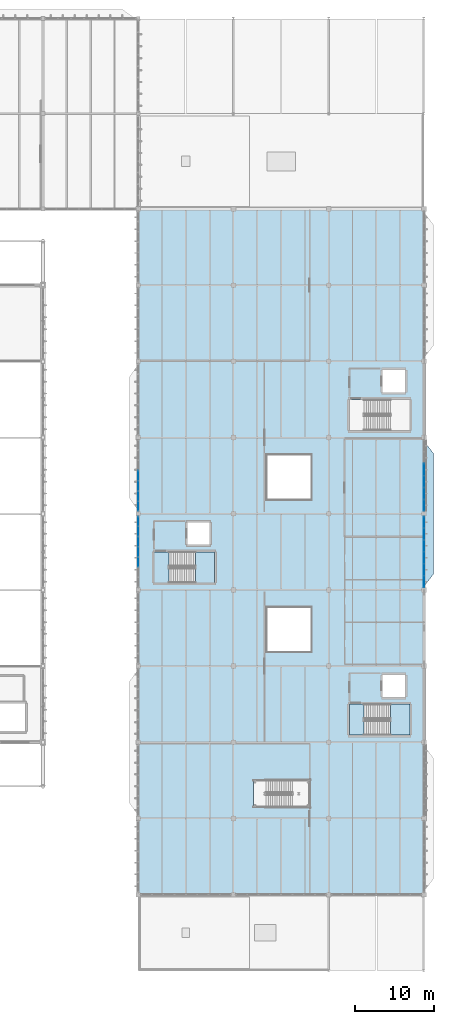
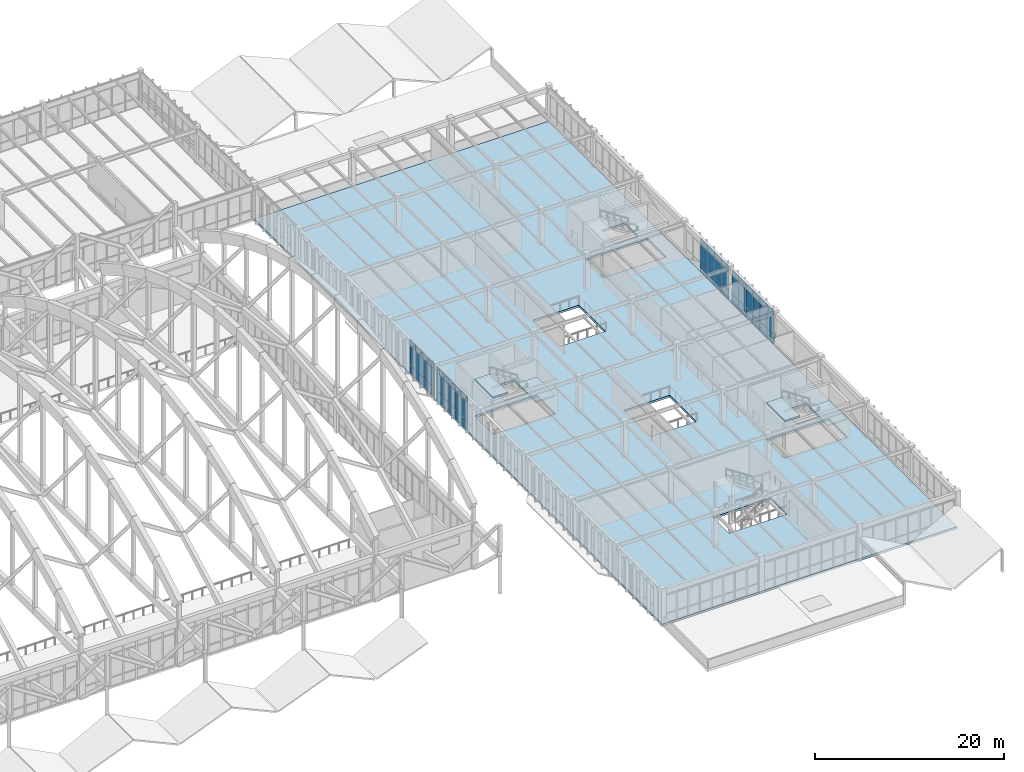
# One storey, part 203 of 236: 57 plates, 6 slabs, 6 elements without a shape of their own.
"""IFC4 building model written with IfcOpenShell, lengths in metres."""

from ifc_helpers import new_model, si_unit, direction, frame, origin, origin_2d, place, context, subcontext, project, spatial, polyline, rectangle, outline, extrude, material, layer, layer_set, type_object, element, aggregate, save


model = new_model("IFC4")

# Units and contexts
model_context = context("Model", 3, precision=1e-05, world=origin(), true_north=direction((0.0, 1.0)))
body_context = subcontext(model_context, "Body", "Model", "MODEL_VIEW")
ifc_project = project(units=[si_unit("LENGTHUNIT", "METRE"), si_unit("AREAUNIT", "SQUARE_METRE"), si_unit("VOLUMEUNIT", "CUBIC_METRE"), si_unit("PLANEANGLEUNIT", "RADIAN"), si_unit("MASSUNIT", "GRAM", prefix="KILO")], contexts=[model_context])

# Site, building, storey
site_placement = place(None, origin())
site = spatial("IfcSite", under=ifc_project, at=site_placement, CompositionType="ELEMENT")
building_placement = place(site_placement, origin())
building = spatial("IfcBuilding", under=site, at=building_placement, Name="Pandanus Reach Market Hall", CompositionType="ELEMENT")
storey_placement = place(building_placement, frame((0.0, 0.0, 5.39990234375)))
storey = spatial("IfcBuildingStorey", under=building, at=storey_placement, Name="L01", CompositionType="ELEMENT", Elevation=5.39990234375)

# Curtain wall, plates
ifc_material_1 = material(Name="Bronze anodised aluminium and low-E glass", Category="aluminium")
ifc_layer_1 = layer(ifc_material_1, 0.159912109375, Name="CW-28")
ifc_layer_set_1 = layer_set([ifc_layer_1], Name="Bronze anodised aluminium and low-E glass")
curtain_wall_type_1 = type_object("IfcCurtainWallType", Name="CW-28", PredefinedType="NOTDEFINED", material=ifc_layer_set_1)
curtain_wall_1_placement = place(storey_placement, origin())
curtain_wall_1 = element("IfcCurtainWall", 1, at=curtain_wall_1_placement, inside=storey, type_object=curtain_wall_type_1, Name="Glazed curtain wall CW-28 CW-0087", PredefinedType="NOTDEFINED")
ifc_material_2 = material(Name="Solar-control double glazing", Category="glass")
ifc_layer_2 = layer(ifc_material_2, 0.028076171875, Name="CW-P1")
ifc_layer_set_2 = layer_set([ifc_layer_2], Name="Solar-control double glazing")
plate_type = type_object("IfcPlateType", Name="CW-P1", PredefinedType="CURTAIN_PANEL", material=ifc_layer_set_2)
plate_1_placement = place(storey_placement, frame((180.0, 49.066162109375, 0.065185546875), z_axis=(0.0, 0.0, 1.0), x_axis=(0.0, 1.0, 0.0)))
plate_1 = element("IfcPlate", 2, at=plate_1_placement, type_object=plate_type, Name="CW-28 panel 1.1", PredefinedType="CURTAIN_PANEL", context=body_context, shape_type="SweptSolid", body=[
    extrude(rectangle(XDim=1.402587890625, YDim=0.028076171875, at=origin_2d()), origin(), (0.0, 0.0, 1.0), 1.1025390625),
])
plate_2_placement = place(storey_placement, frame((180.0, 49.066162109375, 1.232666015625), z_axis=(0.0, 0.0, 1.0), x_axis=(0.0, 1.0, 0.0)))
plate_2 = element("IfcPlate", 3, at=plate_2_placement, type_object=plate_type, Name="CW-28 panel 1.2", PredefinedType="CURTAIN_PANEL", context=body_context, shape_type="SweptSolid", body=[
    extrude(rectangle(XDim=1.402587890625, YDim=0.028076171875, at=origin_2d()), origin(), (0.0, 0.0, 1.0), 2.3349609375),
])
plate_3_placement = place(storey_placement, frame((180.0, 49.066162109375, 3.6328125), z_axis=(0.0, 0.0, 1.0), x_axis=(0.0, 1.0, 0.0)))
plate_3 = element("IfcPlate", 4, at=plate_3_placement, type_object=plate_type, Name="CW-28 panel 1.3", PredefinedType="CURTAIN_PANEL", context=body_context, shape_type="SweptSolid", body=[
    extrude(rectangle(XDim=1.402587890625, YDim=0.028076171875, at=origin_2d()), origin(), (0.0, 0.0, 1.0), 0.802490234375),
])
plate_4_placement = place(storey_placement, frame((180.0, 50.550048828125, 0.065185546875), z_axis=(0.0, 0.0, 1.0), x_axis=(0.0, 1.0, 0.0)))
plate_4 = element("IfcPlate", 5, at=plate_4_placement, type_object=plate_type, Name="CW-28 panel 2.1", PredefinedType="CURTAIN_PANEL", context=body_context, shape_type="SweptSolid", body=[
    extrude(rectangle(XDim=1.43505859375, YDim=0.028076171875, at=origin_2d()), origin(), (0.0, 0.0, 1.0), 1.1025390625),
])
plate_5_placement = place(storey_placement, frame((180.0, 50.550048828125, 1.232666015625), z_axis=(0.0, 0.0, 1.0), x_axis=(0.0, 1.0, 0.0)))
plate_5 = element("IfcPlate", 6, at=plate_5_placement, type_object=plate_type, Name="CW-28 panel 2.2", PredefinedType="CURTAIN_PANEL", context=body_context, shape_type="SweptSolid", body=[
    extrude(rectangle(XDim=1.43505859375, YDim=0.028076171875, at=origin_2d()), origin(), (0.0, 0.0, 1.0), 2.3349609375),
])
plate_6_placement = place(storey_placement, frame((180.0, 50.550048828125, 3.6328125), z_axis=(0.0, 0.0, 1.0), x_axis=(0.0, 1.0, 0.0)))
plate_6 = element("IfcPlate", 7, at=plate_6_placement, type_object=plate_type, Name="CW-28 panel 2.3", PredefinedType="CURTAIN_PANEL", context=body_context, shape_type="SweptSolid", body=[
    extrude(rectangle(XDim=1.43505859375, YDim=0.028076171875, at=origin_2d()), origin(), (0.0, 0.0, 1.0), 0.802490234375),
])
plate_7_placement = place(storey_placement, frame((180.0, 52.050048828125, 0.065185546875), z_axis=(0.0, 0.0, 1.0), x_axis=(0.0, 1.0, 0.0)))
plate_7 = element("IfcPlate", 8, at=plate_7_placement, type_object=plate_type, Name="CW-28 panel 3.1", PredefinedType="CURTAIN_PANEL", context=body_context, shape_type="SweptSolid", body=[
    extrude(rectangle(XDim=1.43505859375, YDim=0.028076171875, at=origin_2d()), origin(), (0.0, 0.0, 1.0), 1.1025390625),
])
plate_8_placement = place(storey_placement, frame((180.0, 52.050048828125, 1.232666015625), z_axis=(0.0, 0.0, 1.0), x_axis=(0.0, 1.0, 0.0)))
plate_8 = element("IfcPlate", 9, at=plate_8_placement, type_object=plate_type, Name="CW-28 panel 3.2", PredefinedType="CURTAIN_PANEL", context=body_context, shape_type="SweptSolid", body=[
    extrude(rectangle(XDim=1.43505859375, YDim=0.028076171875, at=origin_2d()), origin(), (0.0, 0.0, 1.0), 2.3349609375),
])
plate_9_placement = place(storey_placement, frame((180.0, 52.050048828125, 3.6328125), z_axis=(0.0, 0.0, 1.0), x_axis=(0.0, 1.0, 0.0)))
plate_9 = element("IfcPlate", 10, at=plate_9_placement, type_object=plate_type, Name="CW-28 panel 3.3", PredefinedType="CURTAIN_PANEL", context=body_context, shape_type="SweptSolid", body=[
    extrude(rectangle(XDim=1.43505859375, YDim=0.028076171875, at=origin_2d()), origin(), (0.0, 0.0, 1.0), 0.802490234375),
])
plate_10_placement = place(storey_placement, frame((180.0, 53.550048828125, 0.065185546875), z_axis=(0.0, 0.0, 1.0), x_axis=(0.0, 1.0, 0.0)))
plate_10 = element("IfcPlate", 11, at=plate_10_placement, type_object=plate_type, Name="CW-28 panel 4.1", PredefinedType="CURTAIN_PANEL", context=body_context, shape_type="SweptSolid", body=[
    extrude(rectangle(XDim=1.43505859375, YDim=0.028076171875, at=origin_2d()), origin(), (0.0, 0.0, 1.0), 1.1025390625),
])
plate_11_placement = place(storey_placement, frame((180.0, 53.550048828125, 1.232666015625), z_axis=(0.0, 0.0, 1.0), x_axis=(0.0, 1.0, 0.0)))
plate_11 = element("IfcPlate", 12, at=plate_11_placement, type_object=plate_type, Name="CW-28 panel 4.2", PredefinedType="CURTAIN_PANEL", context=body_context, shape_type="SweptSolid", body=[
    extrude(rectangle(XDim=1.43505859375, YDim=0.028076171875, at=origin_2d()), origin(), (0.0, 0.0, 1.0), 2.3349609375),
])
plate_12_placement = place(storey_placement, frame((180.0, 53.550048828125, 3.6328125), z_axis=(0.0, 0.0, 1.0), x_axis=(0.0, 1.0, 0.0)))
plate_12 = element("IfcPlate", 13, at=plate_12_placement, type_object=plate_type, Name="CW-28 panel 4.3", PredefinedType="CURTAIN_PANEL", context=body_context, shape_type="SweptSolid", body=[
    extrude(rectangle(XDim=1.43505859375, YDim=0.028076171875, at=origin_2d()), origin(), (0.0, 0.0, 1.0), 0.802490234375),
])
plate_13_placement = place(storey_placement, frame((180.0, 55.050048828125, 0.065185546875), z_axis=(0.0, 0.0, 1.0), x_axis=(0.0, 1.0, 0.0)))
plate_13 = element("IfcPlate", 14, at=plate_13_placement, type_object=plate_type, Name="CW-28 panel 5.1", PredefinedType="CURTAIN_PANEL", context=body_context, shape_type="SweptSolid", body=[
    extrude(rectangle(XDim=1.43505859375, YDim=0.028076171875, at=origin_2d()), origin(), (0.0, 0.0, 1.0), 1.1025390625),
])
plate_14_placement = place(storey_placement, frame((180.0, 55.050048828125, 1.232666015625), z_axis=(0.0, 0.0, 1.0), x_axis=(0.0, 1.0, 0.0)))
plate_14 = element("IfcPlate", 15, at=plate_14_placement, type_object=plate_type, Name="CW-28 panel 5.2", PredefinedType="CURTAIN_PANEL", context=body_context, shape_type="SweptSolid", body=[
    extrude(rectangle(XDim=1.43505859375, YDim=0.028076171875, at=origin_2d()), origin(), (0.0, 0.0, 1.0), 2.3349609375),
])
plate_15_placement = place(storey_placement, frame((180.0, 55.050048828125, 3.6328125), z_axis=(0.0, 0.0, 1.0), x_axis=(0.0, 1.0, 0.0)))
plate_15 = element("IfcPlate", 16, at=plate_15_placement, type_object=plate_type, Name="CW-28 panel 5.3", PredefinedType="CURTAIN_PANEL", context=body_context, shape_type="SweptSolid", body=[
    extrude(rectangle(XDim=1.43505859375, YDim=0.028076171875, at=origin_2d()), origin(), (0.0, 0.0, 1.0), 0.802490234375),
])
plate_16_placement = place(storey_placement, frame((180.0, 56.53369140625, 0.065185546875), z_axis=(0.0, 0.0, 1.0), x_axis=(0.0, 1.0, 0.0)))
plate_16 = element("IfcPlate", 17, at=plate_16_placement, type_object=plate_type, Name="CW-28 panel 6.1", PredefinedType="CURTAIN_PANEL", context=body_context, shape_type="SweptSolid", body=[
    extrude(rectangle(XDim=1.402587890625, YDim=0.028076171875, at=origin_2d()), origin(), (0.0, 0.0, 1.0), 1.1025390625),
])
plate_17_placement = place(storey_placement, frame((180.0, 56.53369140625, 1.232666015625), z_axis=(0.0, 0.0, 1.0), x_axis=(0.0, 1.0, 0.0)))
plate_17 = element("IfcPlate", 18, at=plate_17_placement, type_object=plate_type, Name="CW-28 panel 6.2", PredefinedType="CURTAIN_PANEL", context=body_context, shape_type="SweptSolid", body=[
    extrude(rectangle(XDim=1.402587890625, YDim=0.028076171875, at=origin_2d()), origin(), (0.0, 0.0, 1.0), 2.3349609375),
])
plate_18_placement = place(storey_placement, frame((180.0, 56.53369140625, 3.6328125), z_axis=(0.0, 0.0, 1.0), x_axis=(0.0, 1.0, 0.0)))
plate_18 = element("IfcPlate", 19, at=plate_18_placement, type_object=plate_type, Name="CW-28 panel 6.3", PredefinedType="CURTAIN_PANEL", context=body_context, shape_type="SweptSolid", body=[
    extrude(rectangle(XDim=1.402587890625, YDim=0.028076171875, at=origin_2d()), origin(), (0.0, 0.0, 1.0), 0.802490234375),
])
aggregate(curtain_wall_1, [plate_1, plate_2, plate_3, plate_4, plate_5, plate_6, plate_7, plate_8, plate_9, plate_10, plate_11, plate_12, plate_13, plate_14, plate_15, plate_16, plate_17, plate_18])

curtain_wall_2_placement = place(storey_placement, origin())
curtain_wall_2 = element("IfcCurtainWall", 20, at=curtain_wall_2_placement, inside=storey, type_object=curtain_wall_type_1, Name="Glazed curtain wall CW-28 CW-0088", PredefinedType="NOTDEFINED")
plate_19_placement = place(storey_placement, frame((180.0, 58.666259765625, 0.065185546875), z_axis=(0.0, 0.0, 1.0), x_axis=(0.0, 1.0, 0.0)))
plate_19 = element("IfcPlate", 21, at=plate_19_placement, type_object=plate_type, Name="CW-28 panel 1.1", PredefinedType="CURTAIN_PANEL", context=body_context, shape_type="SweptSolid", body=[
    extrude(rectangle(XDim=1.402587890625, YDim=0.028076171875, at=origin_2d()), origin(), (0.0, 0.0, 1.0), 1.1025390625),
])
plate_20_placement = place(storey_placement, frame((180.0, 58.666259765625, 1.232666015625), z_axis=(0.0, 0.0, 1.0), x_axis=(0.0, 1.0, 0.0)))
plate_20 = element("IfcPlate", 22, at=plate_20_placement, type_object=plate_type, Name="CW-28 panel 1.2", PredefinedType="CURTAIN_PANEL", context=body_context, shape_type="SweptSolid", body=[
    extrude(rectangle(XDim=1.402587890625, YDim=0.028076171875, at=origin_2d()), origin(), (0.0, 0.0, 1.0), 2.3349609375),
])
plate_21_placement = place(storey_placement, frame((180.0, 58.666259765625, 3.6328125), z_axis=(0.0, 0.0, 1.0), x_axis=(0.0, 1.0, 0.0)))
plate_21 = element("IfcPlate", 23, at=plate_21_placement, type_object=plate_type, Name="CW-28 panel 1.3", PredefinedType="CURTAIN_PANEL", context=body_context, shape_type="SweptSolid", body=[
    extrude(rectangle(XDim=1.402587890625, YDim=0.028076171875, at=origin_2d()), origin(), (0.0, 0.0, 1.0), 0.802490234375),
])
plate_22_placement = place(storey_placement, frame((180.0, 60.14990234375, 0.065185546875), z_axis=(0.0, 0.0, 1.0), x_axis=(0.0, 1.0, 0.0)))
plate_22 = element("IfcPlate", 24, at=plate_22_placement, type_object=plate_type, Name="CW-28 panel 2.1", PredefinedType="CURTAIN_PANEL", context=body_context, shape_type="SweptSolid", body=[
    extrude(rectangle(XDim=1.43505859375, YDim=0.028076171875, at=origin_2d()), origin(), (0.0, 0.0, 1.0), 1.1025390625),
])
plate_23_placement = place(storey_placement, frame((180.0, 60.14990234375, 1.232666015625), z_axis=(0.0, 0.0, 1.0), x_axis=(0.0, 1.0, 0.0)))
plate_23 = element("IfcPlate", 25, at=plate_23_placement, type_object=plate_type, Name="CW-28 panel 2.2", PredefinedType="CURTAIN_PANEL", context=body_context, shape_type="SweptSolid", body=[
    extrude(rectangle(XDim=1.43505859375, YDim=0.028076171875, at=origin_2d()), origin(), (0.0, 0.0, 1.0), 2.3349609375),
])
plate_24_placement = place(storey_placement, frame((180.0, 60.14990234375, 3.6328125), z_axis=(0.0, 0.0, 1.0), x_axis=(0.0, 1.0, 0.0)))
plate_24 = element("IfcPlate", 26, at=plate_24_placement, type_object=plate_type, Name="CW-28 panel 2.3", PredefinedType="CURTAIN_PANEL", context=body_context, shape_type="SweptSolid", body=[
    extrude(rectangle(XDim=1.43505859375, YDim=0.028076171875, at=origin_2d()), origin(), (0.0, 0.0, 1.0), 0.802490234375),
])
plate_25_placement = place(storey_placement, frame((180.0, 61.64990234375, 0.065185546875), z_axis=(0.0, 0.0, 1.0), x_axis=(0.0, 1.0, 0.0)))
plate_25 = element("IfcPlate", 27, at=plate_25_placement, type_object=plate_type, Name="CW-28 panel 3.1", PredefinedType="CURTAIN_PANEL", context=body_context, shape_type="SweptSolid", body=[
    extrude(rectangle(XDim=1.43505859375, YDim=0.028076171875, at=origin_2d()), origin(), (0.0, 0.0, 1.0), 1.1025390625),
])
plate_26_placement = place(storey_placement, frame((180.0, 61.64990234375, 1.232666015625), z_axis=(0.0, 0.0, 1.0), x_axis=(0.0, 1.0, 0.0)))
plate_26 = element("IfcPlate", 28, at=plate_26_placement, type_object=plate_type, Name="CW-28 panel 3.2", PredefinedType="CURTAIN_PANEL", context=body_context, shape_type="SweptSolid", body=[
    extrude(rectangle(XDim=1.43505859375, YDim=0.028076171875, at=origin_2d()), origin(), (0.0, 0.0, 1.0), 2.3349609375),
])
plate_27_placement = place(storey_placement, frame((180.0, 61.64990234375, 3.6328125), z_axis=(0.0, 0.0, 1.0), x_axis=(0.0, 1.0, 0.0)))
plate_27 = element("IfcPlate", 29, at=plate_27_placement, type_object=plate_type, Name="CW-28 panel 3.3", PredefinedType="CURTAIN_PANEL", context=body_context, shape_type="SweptSolid", body=[
    extrude(rectangle(XDim=1.43505859375, YDim=0.028076171875, at=origin_2d()), origin(), (0.0, 0.0, 1.0), 0.802490234375),
])
plate_28_placement = place(storey_placement, frame((180.0, 63.14990234375, 0.065185546875), z_axis=(0.0, 0.0, 1.0), x_axis=(0.0, 1.0, 0.0)))
plate_28 = element("IfcPlate", 30, at=plate_28_placement, type_object=plate_type, Name="CW-28 panel 4.1", PredefinedType="CURTAIN_PANEL", context=body_context, shape_type="SweptSolid", body=[
    extrude(rectangle(XDim=1.43505859375, YDim=0.028076171875, at=origin_2d()), origin(), (0.0, 0.0, 1.0), 1.1025390625),
])
plate_29_placement = place(storey_placement, frame((180.0, 63.14990234375, 1.232666015625), z_axis=(0.0, 0.0, 1.0), x_axis=(0.0, 1.0, 0.0)))
plate_29 = element("IfcPlate", 31, at=plate_29_placement, type_object=plate_type, Name="CW-28 panel 4.2", PredefinedType="CURTAIN_PANEL", context=body_context, shape_type="SweptSolid", body=[
    extrude(rectangle(XDim=1.43505859375, YDim=0.028076171875, at=origin_2d()), origin(), (0.0, 0.0, 1.0), 2.3349609375),
])
plate_30_placement = place(storey_placement, frame((180.0, 63.14990234375, 3.6328125), z_axis=(0.0, 0.0, 1.0), x_axis=(0.0, 1.0, 0.0)))
plate_30 = element("IfcPlate", 32, at=plate_30_placement, type_object=plate_type, Name="CW-28 panel 4.3", PredefinedType="CURTAIN_PANEL", context=body_context, shape_type="SweptSolid", body=[
    extrude(rectangle(XDim=1.43505859375, YDim=0.028076171875, at=origin_2d()), origin(), (0.0, 0.0, 1.0), 0.802490234375),
])
aggregate(curtain_wall_2, [plate_19, plate_20, plate_21, plate_22, plate_23, plate_24, plate_25, plate_26, plate_27, plate_28, plate_29, plate_30])

ifc_layer_3 = layer(ifc_material_1, 0.159912109375, Name="CW-29")
ifc_layer_set_3 = layer_set([ifc_layer_3], Name="Bronze anodised aluminium and low-E glass")
curtain_wall_type_2 = type_object("IfcCurtainWallType", Name="CW-29", PredefinedType="NOTDEFINED", material=ifc_layer_set_3)
curtain_wall_3_placement = place(storey_placement, origin())
curtain_wall_3 = element("IfcCurtainWall", 33, at=curtain_wall_3_placement, inside=storey, type_object=curtain_wall_type_2, Name="Glazed curtain wall CW-29 CW-0095", PredefinedType="NOTDEFINED")
plate_31_placement = place(storey_placement, frame((144.0, 51.514404296875, 0.065185546875), z_axis=(0.0, 0.0, 1.0), x_axis=(0.0, 1.0, 0.0)))
plate_31 = element("IfcPlate", 34, at=plate_31_placement, type_object=plate_type, Name="CW-29 panel 3.1", PredefinedType="CURTAIN_PANEL", context=body_context, shape_type="SweptSolid", body=[
    extrude(rectangle(XDim=1.220703125, YDim=0.028076171875, at=origin_2d()), origin(), (0.0, 0.0, 1.0), 1.1025390625),
])
plate_32_placement = place(storey_placement, frame((144.0, 51.514404296875, 1.232666015625), z_axis=(0.0, 0.0, 1.0), x_axis=(0.0, 1.0, 0.0)))
plate_32 = element("IfcPlate", 35, at=plate_32_placement, type_object=plate_type, Name="CW-29 panel 3.2", PredefinedType="CURTAIN_PANEL", context=body_context, shape_type="SweptSolid", body=[
    extrude(rectangle(XDim=1.220703125, YDim=0.028076171875, at=origin_2d()), origin(), (0.0, 0.0, 1.0), 2.3349609375),
])
plate_33_placement = place(storey_placement, frame((144.0, 51.514404296875, 3.6328125), z_axis=(0.0, 0.0, 1.0), x_axis=(0.0, 1.0, 0.0)))
plate_33 = element("IfcPlate", 36, at=plate_33_placement, type_object=plate_type, Name="CW-29 panel 3.3", PredefinedType="CURTAIN_PANEL", context=body_context, shape_type="SweptSolid", body=[
    extrude(rectangle(XDim=1.220703125, YDim=0.028076171875, at=origin_2d()), origin(), (0.0, 0.0, 1.0), 0.802490234375),
])
plate_34_placement = place(storey_placement, frame((144.0, 52.800048828125, 0.065185546875), z_axis=(0.0, 0.0, 1.0), x_axis=(0.0, 1.0, 0.0)))
plate_34 = element("IfcPlate", 37, at=plate_34_placement, type_object=plate_type, Name="CW-29 panel 4.1", PredefinedType="CURTAIN_PANEL", context=body_context, shape_type="SweptSolid", body=[
    extrude(rectangle(XDim=1.220703125, YDim=0.028076171875, at=origin_2d()), origin(), (0.0, 0.0, 1.0), 1.1025390625),
])
plate_35_placement = place(storey_placement, frame((144.0, 52.800048828125, 1.232666015625), z_axis=(0.0, 0.0, 1.0), x_axis=(0.0, 1.0, 0.0)))
plate_35 = element("IfcPlate", 38, at=plate_35_placement, type_object=plate_type, Name="CW-29 panel 4.2", PredefinedType="CURTAIN_PANEL", context=body_context, shape_type="SweptSolid", body=[
    extrude(rectangle(XDim=1.220703125, YDim=0.028076171875, at=origin_2d()), origin(), (0.0, 0.0, 1.0), 2.3349609375),
])
plate_36_placement = place(storey_placement, frame((144.0, 52.800048828125, 3.6328125), z_axis=(0.0, 0.0, 1.0), x_axis=(0.0, 1.0, 0.0)))
plate_36 = element("IfcPlate", 39, at=plate_36_placement, type_object=plate_type, Name="CW-29 panel 4.3", PredefinedType="CURTAIN_PANEL", context=body_context, shape_type="SweptSolid", body=[
    extrude(rectangle(XDim=1.220703125, YDim=0.028076171875, at=origin_2d()), origin(), (0.0, 0.0, 1.0), 0.802490234375),
])
plate_37_placement = place(storey_placement, frame((144.0, 54.085693359375, 0.065185546875), z_axis=(0.0, 0.0, 1.0), x_axis=(0.0, 1.0, 0.0)))
plate_37 = element("IfcPlate", 40, at=plate_37_placement, type_object=plate_type, Name="CW-29 panel 5.1", PredefinedType="CURTAIN_PANEL", context=body_context, shape_type="SweptSolid", body=[
    extrude(rectangle(XDim=1.220703125, YDim=0.028076171875, at=origin_2d()), origin(), (0.0, 0.0, 1.0), 1.1025390625),
])
plate_38_placement = place(storey_placement, frame((144.0, 54.085693359375, 1.232666015625), z_axis=(0.0, 0.0, 1.0), x_axis=(0.0, 1.0, 0.0)))
plate_38 = element("IfcPlate", 41, at=plate_38_placement, type_object=plate_type, Name="CW-29 panel 5.2", PredefinedType="CURTAIN_PANEL", context=body_context, shape_type="SweptSolid", body=[
    extrude(rectangle(XDim=1.220703125, YDim=0.028076171875, at=origin_2d()), origin(), (0.0, 0.0, 1.0), 2.3349609375),
])
plate_39_placement = place(storey_placement, frame((144.0, 54.085693359375, 3.6328125), z_axis=(0.0, 0.0, 1.0), x_axis=(0.0, 1.0, 0.0)))
plate_39 = element("IfcPlate", 42, at=plate_39_placement, type_object=plate_type, Name="CW-29 panel 5.3", PredefinedType="CURTAIN_PANEL", context=body_context, shape_type="SweptSolid", body=[
    extrude(rectangle(XDim=1.220703125, YDim=0.028076171875, at=origin_2d()), origin(), (0.0, 0.0, 1.0), 0.802490234375),
])
plate_40_placement = place(storey_placement, frame((144.0, 55.371337890625, 0.065185546875), z_axis=(0.0, 0.0, 1.0), x_axis=(0.0, 1.0, 0.0)))
plate_40 = element("IfcPlate", 43, at=plate_40_placement, type_object=plate_type, Name="CW-29 panel 6.1", PredefinedType="CURTAIN_PANEL", context=body_context, shape_type="SweptSolid", body=[
    extrude(rectangle(XDim=1.220703125, YDim=0.028076171875, at=origin_2d()), origin(), (0.0, 0.0, 1.0), 1.1025390625),
])
plate_41_placement = place(storey_placement, frame((144.0, 55.371337890625, 1.232666015625), z_axis=(0.0, 0.0, 1.0), x_axis=(0.0, 1.0, 0.0)))
plate_41 = element("IfcPlate", 44, at=plate_41_placement, type_object=plate_type, Name="CW-29 panel 6.2", PredefinedType="CURTAIN_PANEL", context=body_context, shape_type="SweptSolid", body=[
    extrude(rectangle(XDim=1.220703125, YDim=0.028076171875, at=origin_2d()), origin(), (0.0, 0.0, 1.0), 2.3349609375),
])
plate_42_placement = place(storey_placement, frame((144.0, 55.371337890625, 3.6328125), z_axis=(0.0, 0.0, 1.0), x_axis=(0.0, 1.0, 0.0)))
plate_42 = element("IfcPlate", 45, at=plate_42_placement, type_object=plate_type, Name="CW-29 panel 6.3", PredefinedType="CURTAIN_PANEL", context=body_context, shape_type="SweptSolid", body=[
    extrude(rectangle(XDim=1.220703125, YDim=0.028076171875, at=origin_2d()), origin(), (0.0, 0.0, 1.0), 0.802490234375),
])
plate_43_placement = place(storey_placement, frame((144.0, 56.640869140625, 0.065185546875), z_axis=(0.0, 0.0, 1.0), x_axis=(0.0, 1.0, 0.0)))
plate_43 = element("IfcPlate", 46, at=plate_43_placement, type_object=plate_type, Name="CW-29 panel 7.1", PredefinedType="CURTAIN_PANEL", context=body_context, shape_type="SweptSolid", body=[
    extrude(rectangle(XDim=1.188232421875, YDim=0.028076171875, at=origin_2d()), origin(), (0.0, 0.0, 1.0), 1.1025390625),
])
plate_44_placement = place(storey_placement, frame((144.0, 56.640869140625, 1.232666015625), z_axis=(0.0, 0.0, 1.0), x_axis=(0.0, 1.0, 0.0)))
plate_44 = element("IfcPlate", 47, at=plate_44_placement, type_object=plate_type, Name="CW-29 panel 7.2", PredefinedType="CURTAIN_PANEL", context=body_context, shape_type="SweptSolid", body=[
    extrude(rectangle(XDim=1.188232421875, YDim=0.028076171875, at=origin_2d()), origin(), (0.0, 0.0, 1.0), 2.3349609375),
])
plate_45_placement = place(storey_placement, frame((144.0, 56.640869140625, 3.6328125), z_axis=(0.0, 0.0, 1.0), x_axis=(0.0, 1.0, 0.0)))
plate_45 = element("IfcPlate", 48, at=plate_45_placement, type_object=plate_type, Name="CW-29 panel 7.3", PredefinedType="CURTAIN_PANEL", context=body_context, shape_type="SweptSolid", body=[
    extrude(rectangle(XDim=1.188232421875, YDim=0.028076171875, at=origin_2d()), origin(), (0.0, 0.0, 1.0), 0.802490234375),
])
aggregate(curtain_wall_3, [plate_31, plate_32, plate_33, plate_34, plate_35, plate_36, plate_37, plate_38, plate_39, plate_40, plate_41, plate_42, plate_43, plate_44, plate_45])

curtain_wall_4_placement = place(storey_placement, origin())
curtain_wall_4 = element("IfcCurtainWall", 49, at=curtain_wall_4_placement, inside=storey, type_object=curtain_wall_type_2, Name="Glazed curtain wall CW-29 CW-0096", PredefinedType="NOTDEFINED")
plate_46_placement = place(storey_placement, frame((144.0, 58.55908203125, 0.065185546875), z_axis=(0.0, 0.0, 1.0), x_axis=(0.0, 1.0, 0.0)))
plate_46 = element("IfcPlate", 50, at=plate_46_placement, type_object=plate_type, Name="CW-29 panel 1.1", PredefinedType="CURTAIN_PANEL", context=body_context, shape_type="SweptSolid", body=[
    extrude(rectangle(XDim=1.188232421875, YDim=0.028076171875, at=origin_2d()), origin(), (0.0, 0.0, 1.0), 1.1025390625),
])
plate_47_placement = place(storey_placement, frame((144.0, 58.55908203125, 1.232666015625), z_axis=(0.0, 0.0, 1.0), x_axis=(0.0, 1.0, 0.0)))
plate_47 = element("IfcPlate", 51, at=plate_47_placement, type_object=plate_type, Name="CW-29 panel 1.2", PredefinedType="CURTAIN_PANEL", context=body_context, shape_type="SweptSolid", body=[
    extrude(rectangle(XDim=1.188232421875, YDim=0.028076171875, at=origin_2d()), origin(), (0.0, 0.0, 1.0), 2.3349609375),
])
plate_48_placement = place(storey_placement, frame((144.0, 58.55908203125, 3.6328125), z_axis=(0.0, 0.0, 1.0), x_axis=(0.0, 1.0, 0.0)))
plate_48 = element("IfcPlate", 52, at=plate_48_placement, type_object=plate_type, Name="CW-29 panel 1.3", PredefinedType="CURTAIN_PANEL", context=body_context, shape_type="SweptSolid", body=[
    extrude(rectangle(XDim=1.188232421875, YDim=0.028076171875, at=origin_2d()), origin(), (0.0, 0.0, 1.0), 0.802490234375),
])
plate_49_placement = place(storey_placement, frame((144.0, 59.82861328125, 0.065185546875), z_axis=(0.0, 0.0, 1.0), x_axis=(0.0, 1.0, 0.0)))
plate_49 = element("IfcPlate", 53, at=plate_49_placement, type_object=plate_type, Name="CW-29 panel 2.1", PredefinedType="CURTAIN_PANEL", context=body_context, shape_type="SweptSolid", body=[
    extrude(rectangle(XDim=1.220703125, YDim=0.028076171875, at=origin_2d()), origin(), (0.0, 0.0, 1.0), 1.1025390625),
])
plate_50_placement = place(storey_placement, frame((144.0, 59.82861328125, 1.232666015625), z_axis=(0.0, 0.0, 1.0), x_axis=(0.0, 1.0, 0.0)))
plate_50 = element("IfcPlate", 54, at=plate_50_placement, type_object=plate_type, Name="CW-29 panel 2.2", PredefinedType="CURTAIN_PANEL", context=body_context, shape_type="SweptSolid", body=[
    extrude(rectangle(XDim=1.220703125, YDim=0.028076171875, at=origin_2d()), origin(), (0.0, 0.0, 1.0), 2.3349609375),
])
plate_51_placement = place(storey_placement, frame((144.0, 59.82861328125, 3.6328125), z_axis=(0.0, 0.0, 1.0), x_axis=(0.0, 1.0, 0.0)))
plate_51 = element("IfcPlate", 55, at=plate_51_placement, type_object=plate_type, Name="CW-29 panel 2.3", PredefinedType="CURTAIN_PANEL", context=body_context, shape_type="SweptSolid", body=[
    extrude(rectangle(XDim=1.220703125, YDim=0.028076171875, at=origin_2d()), origin(), (0.0, 0.0, 1.0), 0.802490234375),
])
plate_52_placement = place(storey_placement, frame((144.0, 61.1142578125, 0.065185546875), z_axis=(0.0, 0.0, 1.0), x_axis=(0.0, 1.0, 0.0)))
plate_52 = element("IfcPlate", 56, at=plate_52_placement, type_object=plate_type, Name="CW-29 panel 3.1", PredefinedType="CURTAIN_PANEL", context=body_context, shape_type="SweptSolid", body=[
    extrude(rectangle(XDim=1.220703125, YDim=0.028076171875, at=origin_2d()), origin(), (0.0, 0.0, 1.0), 1.1025390625),
])
plate_53_placement = place(storey_placement, frame((144.0, 61.1142578125, 1.232666015625), z_axis=(0.0, 0.0, 1.0), x_axis=(0.0, 1.0, 0.0)))
plate_53 = element("IfcPlate", 57, at=plate_53_placement, type_object=plate_type, Name="CW-29 panel 3.2", PredefinedType="CURTAIN_PANEL", context=body_context, shape_type="SweptSolid", body=[
    extrude(rectangle(XDim=1.220703125, YDim=0.028076171875, at=origin_2d()), origin(), (0.0, 0.0, 1.0), 2.3349609375),
])
plate_54_placement = place(storey_placement, frame((144.0, 61.1142578125, 3.6328125), z_axis=(0.0, 0.0, 1.0), x_axis=(0.0, 1.0, 0.0)))
plate_54 = element("IfcPlate", 58, at=plate_54_placement, type_object=plate_type, Name="CW-29 panel 3.3", PredefinedType="CURTAIN_PANEL", context=body_context, shape_type="SweptSolid", body=[
    extrude(rectangle(XDim=1.220703125, YDim=0.028076171875, at=origin_2d()), origin(), (0.0, 0.0, 1.0), 0.802490234375),
])
plate_55_placement = place(storey_placement, frame((144.0, 62.39990234375, 0.065185546875), z_axis=(0.0, 0.0, 1.0), x_axis=(0.0, 1.0, 0.0)))
plate_55 = element("IfcPlate", 59, at=plate_55_placement, type_object=plate_type, Name="CW-29 panel 4.1", PredefinedType="CURTAIN_PANEL", context=body_context, shape_type="SweptSolid", body=[
    extrude(rectangle(XDim=1.220703125, YDim=0.028076171875, at=origin_2d()), origin(), (0.0, 0.0, 1.0), 1.1025390625),
])
plate_56_placement = place(storey_placement, frame((144.0, 62.39990234375, 1.232666015625), z_axis=(0.0, 0.0, 1.0), x_axis=(0.0, 1.0, 0.0)))
plate_56 = element("IfcPlate", 60, at=plate_56_placement, type_object=plate_type, Name="CW-29 panel 4.2", PredefinedType="CURTAIN_PANEL", context=body_context, shape_type="SweptSolid", body=[
    extrude(rectangle(XDim=1.220703125, YDim=0.028076171875, at=origin_2d()), origin(), (0.0, 0.0, 1.0), 2.3349609375),
])
plate_57_placement = place(storey_placement, frame((144.0, 62.39990234375, 3.6328125), z_axis=(0.0, 0.0, 1.0), x_axis=(0.0, 1.0, 0.0)))
plate_57 = element("IfcPlate", 61, at=plate_57_placement, type_object=plate_type, Name="CW-29 panel 4.3", PredefinedType="CURTAIN_PANEL", context=body_context, shape_type="SweptSolid", body=[
    extrude(rectangle(XDim=1.220703125, YDim=0.028076171875, at=origin_2d()), origin(), (0.0, 0.0, 1.0), 0.802490234375),
])
aggregate(curtain_wall_4, [plate_46, plate_47, plate_48, plate_49, plate_50, plate_51, plate_52, plate_53, plate_54, plate_55, plate_56, plate_57])

# Slabs
ifc_material_3 = material(Name="Concrete N50 (50 MPa)", Category="concrete")
ifc_layer_4 = layer(ifc_material_3, 0.179931640625, Name="RF-CNP-180")
ifc_layer_set_4 = layer_set([ifc_layer_4], Name="Concrete N50 (50 MPa)")
slab_type_1 = type_object("IfcSlabType", Name="RF-CNP-180", PredefinedType="ROOF", material=ifc_layer_set_4)
slab_1_placement = place(storey_placement, frame((0.0, 0.0, -0.179931640625)))
element("IfcSlab", 62, at=slab_1_placement, inside=storey, type_object=slab_type_1, Name="Sculpted concrete brise-soleil hood 9", PredefinedType="ROOF", context=body_context, shape_type="SweptSolid", body=[
    extrude(outline(polyline([(180.0, 48.39990234375), (180.0, 66.800048828125), (181.199951171875, 65.199951171875), (181.199951171875, 50.0), (180.0, 48.39990234375)])), origin(), (0.0, 0.0, 1.0), 0.179931640625),
])
ifc_material_4 = material(Name="Concrete N40 (40 MPa)", Category="concrete")
ifc_layer_5 = layer(ifc_material_4, 0.27490234375, Name="SL-L01-V4")
ifc_layer_set_5 = layer_set([ifc_layer_5], Name="Concrete N40 (40 MPa)")
slab_type_2 = type_object("IfcSlabType", Name="SL-L01-V4", PredefinedType="FLOOR", material=ifc_layer_set_5)
slab_2_placement = place(storey_placement, frame((0.0, 0.0, -0.27490234375)))
element("IfcSlab", 63, at=slab_2_placement, inside=storey, type_object=slab_type_2, Name="Floor slab SL-L01-V4", PredefinedType="FLOOR", context=body_context, shape_type="SweptSolid", body=[
    extrude(outline(polyline([(144.0, 9.60009765625), (180.0, 9.60009765625), (180.0, 96.0), (144.0, 96.0), (144.0, 9.60009765625)]), holes=[polyline([(170.60009765625, 29.699951171875), (178.219970703125, 29.699951171875), (178.219970703125, 33.60009765625), (170.60009765625, 33.60009765625), (170.60009765625, 29.699951171875)]), polyline([(174.800048828125, 34.5), (177.60009765625, 34.5), (177.60009765625, 37.300048828125), (174.800048828125, 37.300048828125), (174.800048828125, 34.5)]), polyline([(170.60009765625, 68.10009765625), (178.219970703125, 68.10009765625), (178.219970703125, 72.0), (170.60009765625, 72.0), (170.60009765625, 68.10009765625)]), polyline([(174.800048828125, 72.89990234375), (177.60009765625, 72.89990234375), (177.60009765625, 75.699951171875), (174.800048828125, 75.699951171875), (174.800048828125, 72.89990234375)]), polyline([(146.0, 48.89990234375), (153.6201171875, 48.89990234375), (153.6201171875, 52.800048828125), (146.0, 52.800048828125), (146.0, 48.89990234375)]), polyline([(150.199951171875, 53.699951171875), (153.0, 53.699951171875), (153.0, 56.5), (150.199951171875, 56.5), (150.199951171875, 53.699951171875)]), polyline([(158.5, 20.60009765625), (165.6201171875, 20.60009765625), (165.6201171875, 24.02001953125), (158.5, 24.02001953125), (158.5, 20.60009765625)]), polyline([(160.199951171875, 40.199951171875), (165.800048828125, 40.199951171875), (165.800048828125, 45.800048828125), (160.199951171875, 45.800048828125), (160.199951171875, 40.199951171875)]), polyline([(160.199951171875, 59.39990234375), (165.800048828125, 59.39990234375), (165.800048828125, 65.0), (160.199951171875, 65.0), (160.199951171875, 59.39990234375)])]), origin(), (0.0, 0.0, 1.0), 0.27490234375),
])

# Stair, slabs
stair_type = type_object("IfcStairType", Name="STR-03", PredefinedType="HALF_TURN_STAIR", material=ifc_material_4)
stair_1_placement = place(storey_placement, origin())
stair_1 = element("IfcStair", 64, at=stair_1_placement, inside=storey, type_object=stair_type, Name="Stair ST-01 L01", PredefinedType="HALF_TURN_STAIR")
ifc_layer_6 = layer(ifc_material_4, 0.199951171875, Name="SL-LND-200")
ifc_layer_set_6 = layer_set([ifc_layer_6], Name="Concrete N40 (40 MPa)")
slab_type_3 = type_object("IfcSlabType", Name="SL-LND-200", PredefinedType="LANDING", material=ifc_layer_set_6)
slab_3_placement = place(storey_placement, frame((0.0, 0.0, 2.2001953125)))
slab_3 = element("IfcSlab", 65, at=slab_3_placement, type_object=slab_type_3, Name="STR-03 landing 1", PredefinedType="LANDING", context=body_context, shape_type="SweptSolid", body=[
    extrude(outline(polyline([(175.81005859375, 29.699951171875), (178.219970703125, 29.699951171875), (178.219970703125, 33.60009765625), (175.81005859375, 33.60009765625), (175.81005859375, 29.699951171875)])), origin(), (0.0, 0.0, 1.0), 0.199951171875),
])
slab_4_placement = place(storey_placement, frame((0.0, 0.0, 4.60009765625)))
slab_4 = element("IfcSlab", 66, at=slab_4_placement, type_object=slab_type_3, Name="STR-03 landing 2", PredefinedType="LANDING", context=body_context, shape_type="SweptSolid", body=[
    extrude(outline(polyline([(170.60009765625, 29.699951171875), (172.449951171875, 29.699951171875), (172.449951171875, 33.60009765625), (170.60009765625, 33.60009765625), (170.60009765625, 29.699951171875)])), origin(), (0.0, 0.0, 1.0), 0.199951171875),
])
aggregate(stair_1, [slab_3, slab_4])

stair_2_placement = place(storey_placement, origin())
stair_2 = element("IfcStair", 67, at=stair_2_placement, inside=storey, type_object=stair_type, Name="Stair ST-03 L01", PredefinedType="HALF_TURN_STAIR")
slab_5_placement = place(storey_placement, frame((0.0, 0.0, 2.2001953125)))
slab_5 = element("IfcSlab", 68, at=slab_5_placement, type_object=slab_type_3, Name="STR-03 landing 1", PredefinedType="LANDING", context=body_context, shape_type="SweptSolid", body=[
    extrude(outline(polyline([(151.2099609375, 48.89990234375), (153.6201171875, 48.89990234375), (153.6201171875, 52.800048828125), (151.2099609375, 52.800048828125), (151.2099609375, 48.89990234375)])), origin(), (0.0, 0.0, 1.0), 0.199951171875),
])
slab_6_placement = place(storey_placement, frame((0.0, 0.0, 4.60009765625)))
slab_6 = element("IfcSlab", 69, at=slab_6_placement, type_object=slab_type_3, Name="STR-03 landing 2", PredefinedType="LANDING", context=body_context, shape_type="SweptSolid", body=[
    extrude(outline(polyline([(146.0, 48.89990234375), (147.85009765625, 48.89990234375), (147.85009765625, 52.800048828125), (146.0, 52.800048828125), (146.0, 48.89990234375)])), origin(), (0.0, 0.0, 1.0), 0.199951171875),
])
aggregate(stair_2, [slab_5, slab_6])

save(model, "model.ifc")
